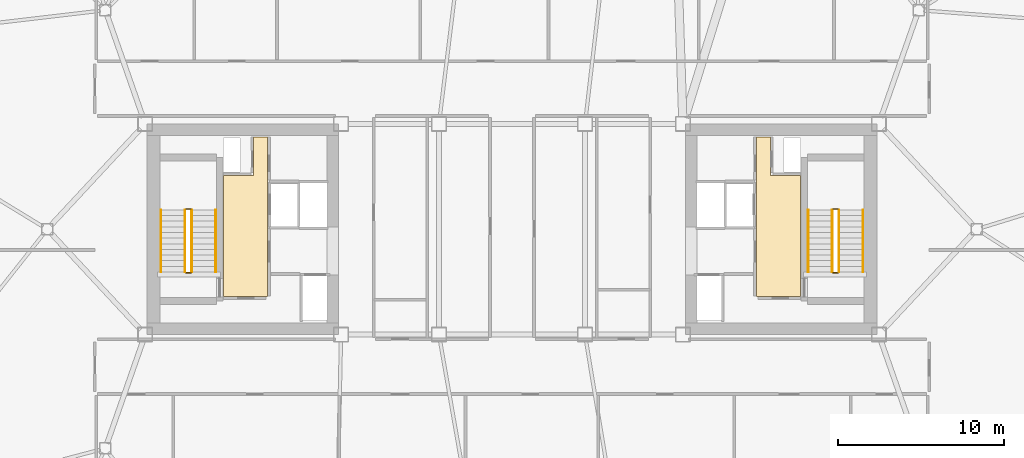
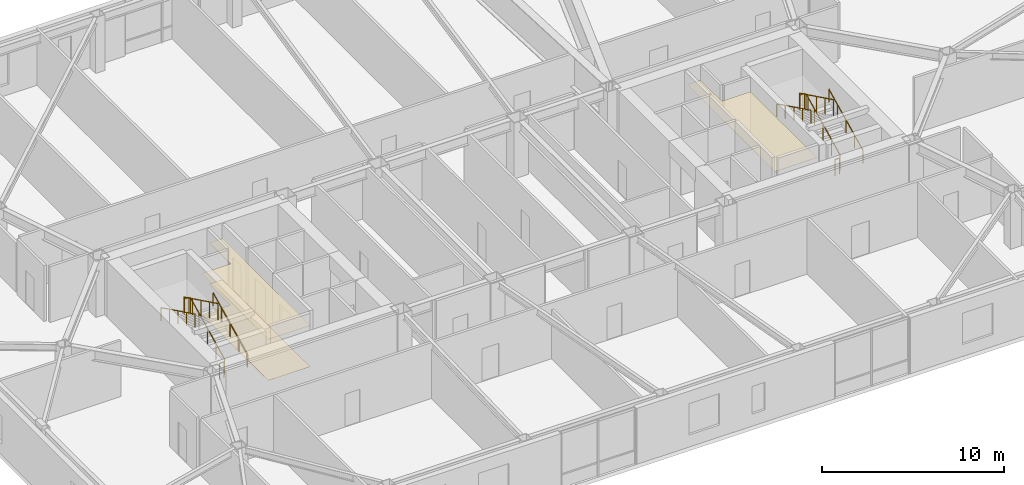
# One storey, part 20 of 20: 12 railings, 3 coverings.
"""IFC4 building model written with IfcOpenShell, lengths in metres."""

from ifc_helpers import new_model, si_unit, direction, frame, origin, origin_2d, place, context, subcontext, project, spatial, polyline, rectangle, outline, extrude, material, layer, layer_set, type_object, element, save


model = new_model("IFC4")

# Units and contexts
model_context = context("Model", 3, precision=1e-05, world=origin(), true_north=direction((0.0, 1.0)))
body_context = subcontext(model_context, "Body", "Model", "MODEL_VIEW")
ifc_project = project(units=[si_unit("LENGTHUNIT", "METRE"), si_unit("AREAUNIT", "SQUARE_METRE"), si_unit("VOLUMEUNIT", "CUBIC_METRE"), si_unit("PLANEANGLEUNIT", "RADIAN"), si_unit("MASSUNIT", "GRAM", prefix="KILO")], contexts=[model_context])

# Site, building, storey
site_placement = place(None, origin())
site = spatial("IfcSite", under=ifc_project, at=site_placement, CompositionType="ELEMENT")
building_placement = place(site_placement, origin())
building = spatial("IfcBuilding", under=site, at=building_placement, Name="Tavrogorsk Clinical Tower", CompositionType="ELEMENT")
storey_placement = place(building_placement, frame((0.0, 0.0, 176.199951171875)))
storey = spatial("IfcBuildingStorey", under=building, at=storey_placement, Name="L40", CompositionType="ELEMENT", Elevation=176.199951171875)

# Coverings
ifc_material_1 = material(Name="Antibacterial micro-perforated aluminium ceiling", Category="aluminium")
ifc_layer_1 = layer(ifc_material_1, 0.014892578125)
ifc_layer_set_1 = layer_set([ifc_layer_1], Name="Antibacterial micro-perforated aluminium ceiling")
covering_type_1 = type_object("IfcCoveringType", Name="ClinicalCeiling_15", PredefinedType="CEILING", material=ifc_layer_set_1)
covering_1_placement = place(storey_placement, frame((0.0, 0.0, 2.75)))
element("IfcCovering", 1, at=covering_1_placement, inside=storey, type_object=covering_type_1, Name="Core West Firefighting Lift Lobby Acoustic Ceiling", PredefinedType="CEILING", context=body_context, shape_type="SweptSolid", body=[
    extrude(outline(polyline([(-14.719970703125, 5.56005859375), (-14.719970703125, -4.06005859375), (-17.3798828125, -4.06005859375), (-17.3798828125, 3.239990234375), (-15.56005859375, 3.239990234375), (-15.56005859375, 5.56005859375), (-14.719970703125, 5.56005859375)])), origin(), (0.0, 0.0, 1.0), 0.01513671875),
])
covering_2_placement = place(storey_placement, frame((0.0, 0.0, 2.75)))
element("IfcCovering", 2, at=covering_2_placement, inside=storey, type_object=covering_type_1, Name="Core East Firefighting Lift Lobby Acoustic Ceiling", PredefinedType="CEILING", context=body_context, shape_type="SweptSolid", body=[
    extrude(outline(polyline([(17.3798828125, -4.06005859375), (14.719970703125, -4.06005859375), (14.719970703125, 5.56005859375), (15.56005859375, 5.56005859375), (15.56005859375, 3.239990234375), (17.3798828125, 3.239990234375), (17.3798828125, -4.06005859375)])), origin(), (0.0, 0.0, 1.0), 0.01513671875),
])
ifc_material_2 = material(Name="Homogeneous medical conductive PVC flooring")
ifc_layer_2 = layer(ifc_material_2, 0.008056640625)
ifc_layer_set_2 = layer_set([ifc_layer_2], Name="Homogeneous medical conductive PVC flooring")
covering_type_2 = type_object("IfcCoveringType", Name="ResilientVinylFloor_8", PredefinedType="FLOORING", material=ifc_layer_set_2)
covering_3_placement = place(storey_placement, origin())
element("IfcCovering", 3, at=covering_3_placement, inside=storey, type_object=covering_type_2, Name="Core West Firefighting Lift Lobby Conductive Vinyl Flooring", PredefinedType="FLOORING", context=body_context, shape_type="SweptSolid", body=[
    extrude(outline(polyline([(-14.719970703125, 5.56005859375), (-14.719970703125, -4.06005859375), (-17.3798828125, -4.06005859375), (-17.3798828125, 3.239990234375), (-15.56005859375, 3.239990234375), (-15.56005859375, 5.56005859375), (-14.719970703125, 5.56005859375)])), origin(), (0.0, 0.0, 1.0), 0.008056640625),
])

# Railings
ifc_material_3 = material(Name="Galvanised steel S355 safety stairwell guard", Category="steel")
ifc_layer_3 = layer(ifc_material_3, 0.06005859375)
ifc_layer_set_3 = layer_set([ifc_layer_3], Name="Galvanised steel S355 safety stairwell guard")
railing_type_1 = type_object("IfcRailingType", Name="StairGuard_1150", PredefinedType="GUARDRAIL", material=ifc_layer_set_3)
railing_1_placement = place(storey_placement, frame((-19.300048828125, -2.574951171875, 0.166748046875)))
element("IfcRailing", 4, at=railing_1_placement, inside=storey, type_object=railing_type_1, Name="L40 ST-W stair guard 1", PredefinedType="GUARDRAIL", context=body_context, shape_type="SweptSolid", body=[
    extrude(rectangle(XDim=0.048095703125, YDim=0.048095703125, at=origin_2d()), frame((0.0, 0.0, 1.076171875), z_axis=(0.0, 0.897927990467, 0.440142390523), x_axis=(-1.0, 0.0, 0.0)), (0.0, 0.0, 1.0), 4.1650390625),
    extrude(rectangle(XDim=0.0419921875, YDim=0.0419921875, at=origin_2d()), origin(), (0.0, 0.0, 1.0), 1.052001953125),
    extrude(rectangle(XDim=0.0419921875, YDim=0.0419921875, at=origin_2d()), frame((0.0, 0.93505859375, 0.458251953125)), (0.0, 0.0, 1.0), 1.052001953125),
    extrude(rectangle(XDim=0.0419921875, YDim=0.0419921875, at=origin_2d()), frame((0.0, 1.8701171875, 0.91650390625)), (0.0, 0.0, 1.0), 1.052001953125),
    extrude(rectangle(XDim=0.0419921875, YDim=0.0419921875, at=origin_2d()), frame((0.0, 2.804931640625, 1.375)), (0.0, 0.0, 1.0), 1.052001953125),
    extrude(rectangle(XDim=0.0419921875, YDim=0.0419921875, at=origin_2d()), frame((0.0, 3.739990234375, 1.833251953125)), (0.0, 0.0, 1.0), 1.052001953125),
])
railing_2_placement = place(storey_placement, frame((-19.35009765625, 1.215087890625, 2.0)))
element("IfcRailing", 5, at=railing_2_placement, inside=storey, type_object=railing_type_1, Name="L40 ST-W stair guard 2", PredefinedType="GUARDRAIL", context=body_context, shape_type="SweptSolid", body=[
    extrude(rectangle(XDim=0.048095703125, YDim=0.048095703125, at=origin_2d()), frame((0.0, 0.0, 1.076171875), z_axis=(-1.0, 0.0, 0.0), x_axis=(0.0, -1.0, 0.0)), (0.0, 0.0, 1.0), 0.2998046875),
    extrude(rectangle(XDim=0.0419921875, YDim=0.0419921875, at=origin_2d()), origin(), (0.0, 0.0, 1.0), 1.052001953125),
    extrude(rectangle(XDim=0.0419921875, YDim=0.0419921875, at=origin_2d()), frame((-0.2998046875, 0.0, 0.0)), (0.0, 0.0, 1.0), 1.052001953125),
])
railing_3_placement = place(storey_placement, frame((-19.699951171875, 1.1650390625, 2.166748046875)))
element("IfcRailing", 6, at=railing_3_placement, inside=storey, type_object=railing_type_1, Name="L40 ST-W stair guard 3", PredefinedType="GUARDRAIL", context=body_context, shape_type="SweptSolid", body=[
    extrude(rectangle(XDim=0.048095703125, YDim=0.048095703125, at=origin_2d()), frame((0.0, 0.0, 1.076171875), z_axis=(0.0, -0.897927990467, 0.440142390523), x_axis=(1.0, 0.0, 0.0)), (0.0, 0.0, 1.0), 4.1650390625),
    extrude(rectangle(XDim=0.0419921875, YDim=0.0419921875, at=origin_2d()), origin(), (0.0, 0.0, 1.0), 1.052001953125),
    extrude(rectangle(XDim=0.0419921875, YDim=0.0419921875, at=origin_2d()), frame((0.0, -0.93505859375, 0.458251953125)), (0.0, 0.0, 1.0), 1.052001953125),
    extrude(rectangle(XDim=0.0419921875, YDim=0.0419921875, at=origin_2d()), frame((0.0, -1.8701171875, 0.91650390625)), (0.0, 0.0, 1.0), 1.052001953125),
    extrude(rectangle(XDim=0.0419921875, YDim=0.0419921875, at=origin_2d()), frame((0.0, -2.804931640625, 1.375)), (0.0, 0.0, 1.0), 1.052001953125),
    extrude(rectangle(XDim=0.0419921875, YDim=0.0419921875, at=origin_2d()), frame((0.0, -3.739990234375, 1.833251953125)), (0.0, 0.0, 1.0), 1.052001953125),
])
railing_4_placement = place(storey_placement, frame((-19.35009765625, -2.625, 0.0)))
element("IfcRailing", 7, at=railing_4_placement, inside=storey, type_object=railing_type_1, Name="L40 ST-W stair guard 4", PredefinedType="GUARDRAIL", context=body_context, shape_type="SweptSolid", body=[
    extrude(rectangle(XDim=0.048095703125, YDim=0.048095703125, at=origin_2d()), frame((0.0, 0.0, 1.076171875), z_axis=(-1.0, 0.0, 0.0), x_axis=(0.0, -1.0, 0.0)), (0.0, 0.0, 1.0), 0.2998046875),
    extrude(rectangle(XDim=0.0419921875, YDim=0.0419921875, at=origin_2d()), origin(), (0.0, 0.0, 1.0), 1.052001953125),
    extrude(rectangle(XDim=0.0419921875, YDim=0.0419921875, at=origin_2d()), frame((-0.2998046875, 0.0, 0.0)), (0.0, 0.0, 1.0), 1.052001953125),
])
railing_5_placement = place(storey_placement, frame((19.699951171875, -2.574951171875, 0.166748046875)))
element("IfcRailing", 8, at=railing_5_placement, inside=storey, type_object=railing_type_1, Name="L40 ST-E stair guard 1", PredefinedType="GUARDRAIL", context=body_context, shape_type="SweptSolid", body=[
    extrude(rectangle(XDim=0.048095703125, YDim=0.048095703125, at=origin_2d()), frame((0.0, 0.0, 1.076171875), z_axis=(0.0, 0.897927990467, 0.440142390523), x_axis=(-1.0, 0.0, 0.0)), (0.0, 0.0, 1.0), 4.1650390625),
    extrude(rectangle(XDim=0.0419921875, YDim=0.0419921875, at=origin_2d()), origin(), (0.0, 0.0, 1.0), 1.052001953125),
    extrude(rectangle(XDim=0.0419921875, YDim=0.0419921875, at=origin_2d()), frame((0.0, 0.93505859375, 0.458251953125)), (0.0, 0.0, 1.0), 1.052001953125),
    extrude(rectangle(XDim=0.0419921875, YDim=0.0419921875, at=origin_2d()), frame((0.0, 1.8701171875, 0.91650390625)), (0.0, 0.0, 1.0), 1.052001953125),
    extrude(rectangle(XDim=0.0419921875, YDim=0.0419921875, at=origin_2d()), frame((0.0, 2.804931640625, 1.375)), (0.0, 0.0, 1.0), 1.052001953125),
    extrude(rectangle(XDim=0.0419921875, YDim=0.0419921875, at=origin_2d()), frame((0.0, 3.739990234375, 1.833251953125)), (0.0, 0.0, 1.0), 1.052001953125),
])
railing_6_placement = place(storey_placement, frame((19.64990234375, 1.215087890625, 2.0)))
element("IfcRailing", 9, at=railing_6_placement, inside=storey, type_object=railing_type_1, Name="L40 ST-E stair guard 2", PredefinedType="GUARDRAIL", context=body_context, shape_type="SweptSolid", body=[
    extrude(rectangle(XDim=0.048095703125, YDim=0.048095703125, at=origin_2d()), frame((0.0, 0.0, 1.076171875), z_axis=(-1.0, 0.0, 0.0), x_axis=(0.0, -1.0, 0.0)), (0.0, 0.0, 1.0), 0.2998046875),
    extrude(rectangle(XDim=0.0419921875, YDim=0.0419921875, at=origin_2d()), origin(), (0.0, 0.0, 1.0), 1.052001953125),
    extrude(rectangle(XDim=0.0419921875, YDim=0.0419921875, at=origin_2d()), frame((-0.2998046875, 0.0, 0.0)), (0.0, 0.0, 1.0), 1.052001953125),
])
railing_7_placement = place(storey_placement, frame((19.300048828125, 1.1650390625, 2.166748046875)))
element("IfcRailing", 10, at=railing_7_placement, inside=storey, type_object=railing_type_1, Name="L40 ST-E stair guard 3", PredefinedType="GUARDRAIL", context=body_context, shape_type="SweptSolid", body=[
    extrude(rectangle(XDim=0.048095703125, YDim=0.048095703125, at=origin_2d()), frame((0.0, 0.0, 1.076171875), z_axis=(0.0, -0.897927990467, 0.440142390523), x_axis=(1.0, 0.0, 0.0)), (0.0, 0.0, 1.0), 4.1650390625),
    extrude(rectangle(XDim=0.0419921875, YDim=0.0419921875, at=origin_2d()), origin(), (0.0, 0.0, 1.0), 1.052001953125),
    extrude(rectangle(XDim=0.0419921875, YDim=0.0419921875, at=origin_2d()), frame((0.0, -0.93505859375, 0.458251953125)), (0.0, 0.0, 1.0), 1.052001953125),
    extrude(rectangle(XDim=0.0419921875, YDim=0.0419921875, at=origin_2d()), frame((0.0, -1.8701171875, 0.91650390625)), (0.0, 0.0, 1.0), 1.052001953125),
    extrude(rectangle(XDim=0.0419921875, YDim=0.0419921875, at=origin_2d()), frame((0.0, -2.804931640625, 1.375)), (0.0, 0.0, 1.0), 1.052001953125),
    extrude(rectangle(XDim=0.0419921875, YDim=0.0419921875, at=origin_2d()), frame((0.0, -3.739990234375, 1.833251953125)), (0.0, 0.0, 1.0), 1.052001953125),
])
railing_8_placement = place(storey_placement, frame((19.64990234375, -2.625, 0.0)))
element("IfcRailing", 11, at=railing_8_placement, inside=storey, type_object=railing_type_1, Name="L40 ST-E stair guard 4", PredefinedType="GUARDRAIL", context=body_context, shape_type="SweptSolid", body=[
    extrude(rectangle(XDim=0.048095703125, YDim=0.048095703125, at=origin_2d()), frame((0.0, 0.0, 1.076171875), z_axis=(-1.0, 0.0, 0.0), x_axis=(0.0, -1.0, 0.0)), (0.0, 0.0, 1.0), 0.2998046875),
    extrude(rectangle(XDim=0.0419921875, YDim=0.0419921875, at=origin_2d()), origin(), (0.0, 0.0, 1.0), 1.052001953125),
    extrude(rectangle(XDim=0.0419921875, YDim=0.0419921875, at=origin_2d()), frame((-0.2998046875, 0.0, 0.0)), (0.0, 0.0, 1.0), 1.052001953125),
])
ifc_material_4 = material(Name="Stainless steel AISI 304 tubular handrail", Category="steel")
ifc_layer_4 = layer(ifc_material_4, 0.050048828125)
ifc_layer_set_4 = layer_set([ifc_layer_4], Name="Stainless steel AISI 304 tubular handrail")
railing_type_2 = type_object("IfcRailingType", Name="StairHandrail_920", PredefinedType="HANDRAIL", material=ifc_layer_set_4)
railing_9_placement = place(storey_placement, frame((-17.85009765625, -2.574951171875, 0.166748046875)))
element("IfcRailing", 12, at=railing_9_placement, inside=storey, type_object=railing_type_2, Name="L40 ST-W stair handrail 1", PredefinedType="HANDRAIL", context=body_context, shape_type="SweptSolid", body=[
    extrude(rectangle(XDim=0.048095703125, YDim=0.048095703125, at=origin_2d()), frame((0.0, 0.0, 0.8759765625), z_axis=(0.0, 0.897927990467, 0.440142390523), x_axis=(-1.0, 0.0, 0.0)), (0.0, 0.0, 1.0), 4.1650390625),
    extrude(rectangle(XDim=0.0419921875, YDim=0.0419921875, at=origin_2d()), origin(), (0.0, 0.0, 1.0), 0.851806640625),
    extrude(rectangle(XDim=0.0419921875, YDim=0.0419921875, at=origin_2d()), frame((0.0, 0.93505859375, 0.458251953125)), (0.0, 0.0, 1.0), 0.851806640625),
    extrude(rectangle(XDim=0.0419921875, YDim=0.0419921875, at=origin_2d()), frame((0.0, 1.8701171875, 0.91650390625)), (0.0, 0.0, 1.0), 0.851806640625),
    extrude(rectangle(XDim=0.0419921875, YDim=0.0419921875, at=origin_2d()), frame((0.0, 2.804931640625, 1.375)), (0.0, 0.0, 1.0), 0.851806640625),
    extrude(rectangle(XDim=0.0419921875, YDim=0.0419921875, at=origin_2d()), frame((0.0, 3.739990234375, 1.833251953125)), (0.0, 0.0, 1.0), 0.851806640625),
])
railing_10_placement = place(storey_placement, frame((-21.14990234375, 1.1650390625, 2.166748046875)))
element("IfcRailing", 13, at=railing_10_placement, inside=storey, type_object=railing_type_2, Name="L40 ST-W stair handrail 2", PredefinedType="HANDRAIL", context=body_context, shape_type="SweptSolid", body=[
    extrude(rectangle(XDim=0.048095703125, YDim=0.048095703125, at=origin_2d()), frame((0.0, 0.0, 0.8759765625), z_axis=(0.0, -0.897927990467, 0.440142390523), x_axis=(1.0, 0.0, 0.0)), (0.0, 0.0, 1.0), 4.1650390625),
    extrude(rectangle(XDim=0.0419921875, YDim=0.0419921875, at=origin_2d()), origin(), (0.0, 0.0, 1.0), 0.851806640625),
    extrude(rectangle(XDim=0.0419921875, YDim=0.0419921875, at=origin_2d()), frame((0.0, -0.93505859375, 0.458251953125)), (0.0, 0.0, 1.0), 0.851806640625),
    extrude(rectangle(XDim=0.0419921875, YDim=0.0419921875, at=origin_2d()), frame((0.0, -1.8701171875, 0.91650390625)), (0.0, 0.0, 1.0), 0.851806640625),
    extrude(rectangle(XDim=0.0419921875, YDim=0.0419921875, at=origin_2d()), frame((0.0, -2.804931640625, 1.375)), (0.0, 0.0, 1.0), 0.851806640625),
    extrude(rectangle(XDim=0.0419921875, YDim=0.0419921875, at=origin_2d()), frame((0.0, -3.739990234375, 1.833251953125)), (0.0, 0.0, 1.0), 0.851806640625),
])
railing_11_placement = place(storey_placement, frame((21.14990234375, -2.574951171875, 0.166748046875)))
element("IfcRailing", 14, at=railing_11_placement, inside=storey, type_object=railing_type_2, Name="L40 ST-E stair handrail 1", PredefinedType="HANDRAIL", context=body_context, shape_type="SweptSolid", body=[
    extrude(rectangle(XDim=0.048095703125, YDim=0.048095703125, at=origin_2d()), frame((0.0, 0.0, 0.8759765625), z_axis=(0.0, 0.897927990467, 0.440142390523), x_axis=(-1.0, 0.0, 0.0)), (0.0, 0.0, 1.0), 4.1650390625),
    extrude(rectangle(XDim=0.0419921875, YDim=0.0419921875, at=origin_2d()), origin(), (0.0, 0.0, 1.0), 0.851806640625),
    extrude(rectangle(XDim=0.0419921875, YDim=0.0419921875, at=origin_2d()), frame((0.0, 0.93505859375, 0.458251953125)), (0.0, 0.0, 1.0), 0.851806640625),
    extrude(rectangle(XDim=0.0419921875, YDim=0.0419921875, at=origin_2d()), frame((0.0, 1.8701171875, 0.91650390625)), (0.0, 0.0, 1.0), 0.851806640625),
    extrude(rectangle(XDim=0.0419921875, YDim=0.0419921875, at=origin_2d()), frame((0.0, 2.804931640625, 1.375)), (0.0, 0.0, 1.0), 0.851806640625),
    extrude(rectangle(XDim=0.0419921875, YDim=0.0419921875, at=origin_2d()), frame((0.0, 3.739990234375, 1.833251953125)), (0.0, 0.0, 1.0), 0.851806640625),
])
railing_12_placement = place(storey_placement, frame((17.85009765625, 1.1650390625, 2.166748046875)))
element("IfcRailing", 15, at=railing_12_placement, inside=storey, type_object=railing_type_2, Name="L40 ST-E stair handrail 2", PredefinedType="HANDRAIL", context=body_context, shape_type="SweptSolid", body=[
    extrude(rectangle(XDim=0.048095703125, YDim=0.048095703125, at=origin_2d()), frame((0.0, 0.0, 0.8759765625), z_axis=(0.0, -0.897927990467, 0.440142390523), x_axis=(1.0, 0.0, 0.0)), (0.0, 0.0, 1.0), 4.1650390625),
    extrude(rectangle(XDim=0.0419921875, YDim=0.0419921875, at=origin_2d()), origin(), (0.0, 0.0, 1.0), 0.851806640625),
    extrude(rectangle(XDim=0.0419921875, YDim=0.0419921875, at=origin_2d()), frame((0.0, -0.93505859375, 0.458251953125)), (0.0, 0.0, 1.0), 0.851806640625),
    extrude(rectangle(XDim=0.0419921875, YDim=0.0419921875, at=origin_2d()), frame((0.0, -1.8701171875, 0.91650390625)), (0.0, 0.0, 1.0), 0.851806640625),
    extrude(rectangle(XDim=0.0419921875, YDim=0.0419921875, at=origin_2d()), frame((0.0, -2.804931640625, 1.375)), (0.0, 0.0, 1.0), 0.851806640625),
    extrude(rectangle(XDim=0.0419921875, YDim=0.0419921875, at=origin_2d()), frame((0.0, -3.739990234375, 1.833251953125)), (0.0, 0.0, 1.0), 0.851806640625),
])

save(model, "model.ifc")
